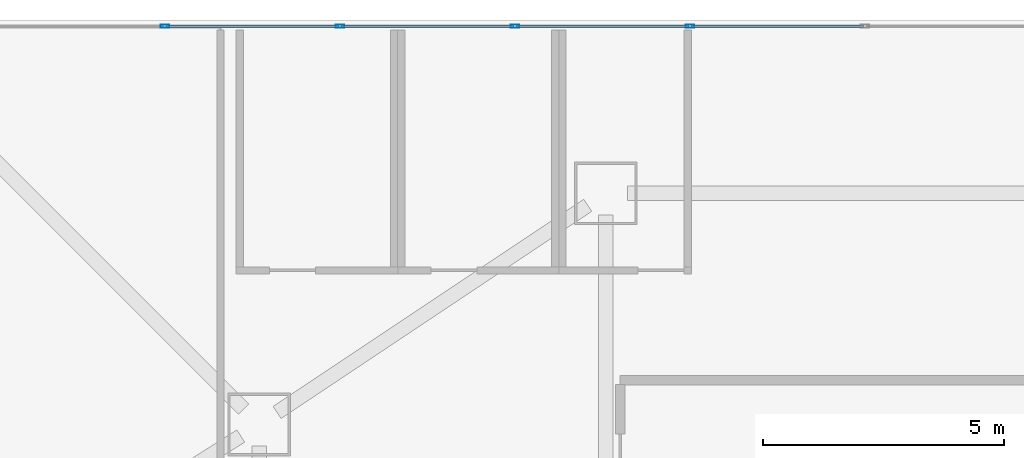
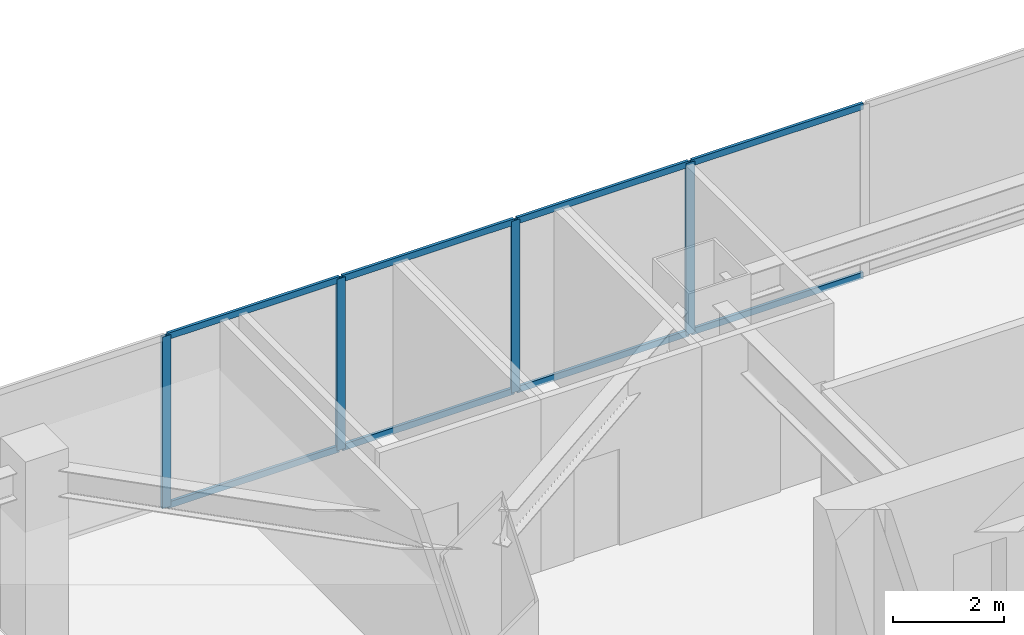
# One storey, part 14 of 32: 12 members, 1 element without a shape of its own.
"""IFC4 building model written with IfcOpenShell, lengths in metres."""

from ifc_helpers import new_model, si_unit, direction, frame, origin, origin_2d, place, context, subcontext, project, spatial, hollow_rectangle, extrude, material, layer, layer_set, material_profile, profile_set, type_object, element, aggregate, save


model = new_model("IFC4")

# Units and contexts
model_context = context("Model", 3, precision=1e-05, world=origin(), true_north=direction((0.0, 1.0)))
body_context = subcontext(model_context, "Body", "Model", "MODEL_VIEW")
ifc_project = project(units=[si_unit("LENGTHUNIT", "METRE"), si_unit("AREAUNIT", "SQUARE_METRE"), si_unit("VOLUMEUNIT", "CUBIC_METRE"), si_unit("PLANEANGLEUNIT", "RADIAN"), si_unit("MASSUNIT", "GRAM", prefix="KILO")], contexts=[model_context])

# Site, building, storey
site_placement = place(None, origin())
site = spatial("IfcSite", under=ifc_project, at=site_placement, CompositionType="ELEMENT")
building_placement = place(site_placement, origin())
building = spatial("IfcBuilding", under=site, at=building_placement, Name="Haolan Belvedere Tower", CompositionType="ELEMENT")
storey_placement = place(building_placement, frame((0.0, 0.0, 15.60009765625)))
storey = spatial("IfcBuildingStorey", under=building, at=storey_placement, Name="L03", CompositionType="ELEMENT", Elevation=15.60009765625)

# Curtain wall, members
ifc_material_1 = material(Name="Anodised champagne-silver aluminium 6063-T6 and Low-E glass", Category="aluminium")
ifc_layer = layer(ifc_material_1, 0.179931640625, Name="Anodised champagne-silver aluminium 6063-T6 and Low-E glass")
ifc_layer_set = layer_set([ifc_layer], Name="Anodised champagne-silver aluminium 6063-T6 and Low-E glass")
curtain_wall_type = type_object("IfcCurtainWallType", Name="CW-SYS-01", PredefinedType="NOTDEFINED", material=ifc_layer_set)
curtain_wall_placement = place(storey_placement, origin())
curtain_wall = element("IfcCurtainWall", 1, at=curtain_wall_placement, inside=storey, type_object=curtain_wall_type, Name="L03 CW-SYS-01 ribbon curtain wall 3.1", PredefinedType="NOTDEFINED")
ifc_material_2 = material(Name="Anodised aluminium 6063-T6", Category="aluminium")
ifc_material_profile_1 = material_profile(ifc_material_2, hollow_rectangle(XDim=0.06494140625, YDim=0.179931640625, WallThickness=0.00390625, at=origin_2d()), Name="Anodised aluminium 6063-T6")
ifc_profile_set_1 = profile_set([ifc_material_profile_1], Name="Anodised aluminium 6063-T6")
member_type_1 = type_object("IfcMemberType", Name="CW-SYS-01-MUL", PredefinedType="MULLION", material=ifc_profile_set_1)
member_1_placement = place(storey_placement, frame((32.947998046875, 53.8701171875, 0.0), z_axis=(0.0, 0.0, 1.0), x_axis=(0.0, -1.0, 0.0)))
member_1 = element("IfcMember", 2, at=member_1_placement, type_object=member_type_1, Name="CW-01 mullion 12", PredefinedType="MULLION", context=body_context, shape_type="SweptSolid", body=[
    extrude(hollow_rectangle(XDim=0.06494140625, YDim=0.179931640625, WallThickness=0.00390625, at=origin_2d()), origin(), (0.0, 0.0, 1.0), 3.77978515625),
])
member_2_placement = place(storey_placement, frame((29.313232421875, 53.8701171875, 0.0), z_axis=(0.0, 0.0, 1.0), x_axis=(0.0, -1.0, 0.0)))
member_2 = element("IfcMember", 3, at=member_2_placement, type_object=member_type_1, Name="CW-01 mullion 13", PredefinedType="MULLION", context=body_context, shape_type="SweptSolid", body=[
    extrude(hollow_rectangle(XDim=0.06494140625, YDim=0.179931640625, WallThickness=0.00390625, at=origin_2d()), origin(), (0.0, 0.0, 1.0), 3.77978515625),
])
member_3_placement = place(storey_placement, frame((25.678466796875, 53.8701171875, 0.0), z_axis=(0.0, 0.0, 1.0), x_axis=(0.0, -1.0, 0.0)))
member_3 = element("IfcMember", 4, at=member_3_placement, type_object=member_type_1, Name="CW-01 mullion 14", PredefinedType="MULLION", context=body_context, shape_type="SweptSolid", body=[
    extrude(hollow_rectangle(XDim=0.06494140625, YDim=0.179931640625, WallThickness=0.00390625, at=origin_2d()), origin(), (0.0, 0.0, 1.0), 3.77978515625),
])
member_4_placement = place(storey_placement, frame((22.043701171875, 53.8701171875, 0.0), z_axis=(0.0, 0.0, 1.0), x_axis=(0.0, -1.0, 0.0)))
member_4 = element("IfcMember", 5, at=member_4_placement, type_object=member_type_1, Name="CW-01 mullion 15", PredefinedType="MULLION", context=body_context, shape_type="SweptSolid", body=[
    extrude(hollow_rectangle(XDim=0.06494140625, YDim=0.179931640625, WallThickness=0.00390625, at=origin_2d()), origin(), (0.0, 0.0, 1.0), 3.77978515625),
])
ifc_material_profile_2 = material_profile(ifc_material_2, hollow_rectangle(XDim=0.06005859375, YDim=0.139892578125, WallThickness=0.00390625, at=origin_2d()), Name="Anodised aluminium 6063-T6")
ifc_profile_set_2 = profile_set([ifc_material_profile_2], Name="Anodised aluminium 6063-T6")
member_type_2 = type_object("IfcMemberType", Name="CW-SYS-01-TRN", PredefinedType="USERDEFINED", material=ifc_profile_set_2)
member_5_placement = place(storey_placement, frame((36.550048828125, 53.8701171875, 0.02978515625), z_axis=(-1.0, 0.0, 0.0), x_axis=(0.0, -1.0, 0.0)))
member_5 = element("IfcMember", 6, at=member_5_placement, type_object=member_type_2, Name="CW-01 transom 11.1", ObjectType="TRANSOM", PredefinedType="USERDEFINED", context=body_context, shape_type="SweptSolid", body=[
    extrude(hollow_rectangle(XDim=0.06005859375, YDim=0.139892578125, WallThickness=0.00390625, at=origin_2d()), origin(), (0.0, 0.0, 1.0), 3.569580078125),
])
member_6_placement = place(storey_placement, frame((36.550048828125, 53.8701171875, 3.75), z_axis=(-1.0, 0.0, 0.0), x_axis=(0.0, -1.0, 0.0)))
member_6 = element("IfcMember", 7, at=member_6_placement, type_object=member_type_2, Name="CW-01 transom 11.2", ObjectType="TRANSOM", PredefinedType="USERDEFINED", context=body_context, shape_type="SweptSolid", body=[
    extrude(hollow_rectangle(XDim=0.06005859375, YDim=0.139892578125, WallThickness=0.00390625, at=origin_2d()), origin(), (0.0, 0.0, 1.0), 3.569580078125),
])
member_7_placement = place(storey_placement, frame((32.915283203125, 53.8701171875, 0.02978515625), z_axis=(-1.0, 0.0, 0.0), x_axis=(0.0, -1.0, 0.0)))
member_7 = element("IfcMember", 8, at=member_7_placement, type_object=member_type_2, Name="CW-01 transom 12.1", ObjectType="TRANSOM", PredefinedType="USERDEFINED", context=body_context, shape_type="SweptSolid", body=[
    extrude(hollow_rectangle(XDim=0.06005859375, YDim=0.139892578125, WallThickness=0.00390625, at=origin_2d()), origin(), (0.0, 0.0, 1.0), 3.569580078125),
])
member_8_placement = place(storey_placement, frame((32.915283203125, 53.8701171875, 3.75), z_axis=(-1.0, 0.0, 0.0), x_axis=(0.0, -1.0, 0.0)))
member_8 = element("IfcMember", 9, at=member_8_placement, type_object=member_type_2, Name="CW-01 transom 12.2", ObjectType="TRANSOM", PredefinedType="USERDEFINED", context=body_context, shape_type="SweptSolid", body=[
    extrude(hollow_rectangle(XDim=0.06005859375, YDim=0.139892578125, WallThickness=0.00390625, at=origin_2d()), origin(), (0.0, 0.0, 1.0), 3.569580078125),
])
member_9_placement = place(storey_placement, frame((29.28076171875, 53.8701171875, 0.02978515625), z_axis=(-1.0, 0.0, 0.0), x_axis=(0.0, -1.0, 0.0)))
member_9 = element("IfcMember", 10, at=member_9_placement, type_object=member_type_2, Name="CW-01 transom 13.1", ObjectType="TRANSOM", PredefinedType="USERDEFINED", context=body_context, shape_type="SweptSolid", body=[
    extrude(hollow_rectangle(XDim=0.06005859375, YDim=0.139892578125, WallThickness=0.00390625, at=origin_2d()), origin(), (0.0, 0.0, 1.0), 3.56982421875),
])
member_10_placement = place(storey_placement, frame((29.28076171875, 53.8701171875, 3.75), z_axis=(-1.0, 0.0, 0.0), x_axis=(0.0, -1.0, 0.0)))
member_10 = element("IfcMember", 11, at=member_10_placement, type_object=member_type_2, Name="CW-01 transom 13.2", ObjectType="TRANSOM", PredefinedType="USERDEFINED", context=body_context, shape_type="SweptSolid", body=[
    extrude(hollow_rectangle(XDim=0.06005859375, YDim=0.139892578125, WallThickness=0.00390625, at=origin_2d()), origin(), (0.0, 0.0, 1.0), 3.56982421875),
])
member_11_placement = place(storey_placement, frame((25.64599609375, 53.8701171875, 0.02978515625), z_axis=(-1.0, 0.0, 0.0), x_axis=(0.0, -1.0, 0.0)))
member_11 = element("IfcMember", 12, at=member_11_placement, type_object=member_type_2, Name="CW-01 transom 14.1", ObjectType="TRANSOM", PredefinedType="USERDEFINED", context=body_context, shape_type="SweptSolid", body=[
    extrude(hollow_rectangle(XDim=0.06005859375, YDim=0.139892578125, WallThickness=0.00390625, at=origin_2d()), origin(), (0.0, 0.0, 1.0), 3.56982421875),
])
member_12_placement = place(storey_placement, frame((25.64599609375, 53.8701171875, 3.75), z_axis=(-1.0, 0.0, 0.0), x_axis=(0.0, -1.0, 0.0)))
member_12 = element("IfcMember", 13, at=member_12_placement, type_object=member_type_2, Name="CW-01 transom 14.2", ObjectType="TRANSOM", PredefinedType="USERDEFINED", context=body_context, shape_type="SweptSolid", body=[
    extrude(hollow_rectangle(XDim=0.06005859375, YDim=0.139892578125, WallThickness=0.00390625, at=origin_2d()), origin(), (0.0, 0.0, 1.0), 3.56982421875),
])
aggregate(curtain_wall, [member_1, member_2, member_3, member_4, member_5, member_6, member_7, member_8, member_9, member_10, member_11, member_12])

save(model, "model.ifc")
